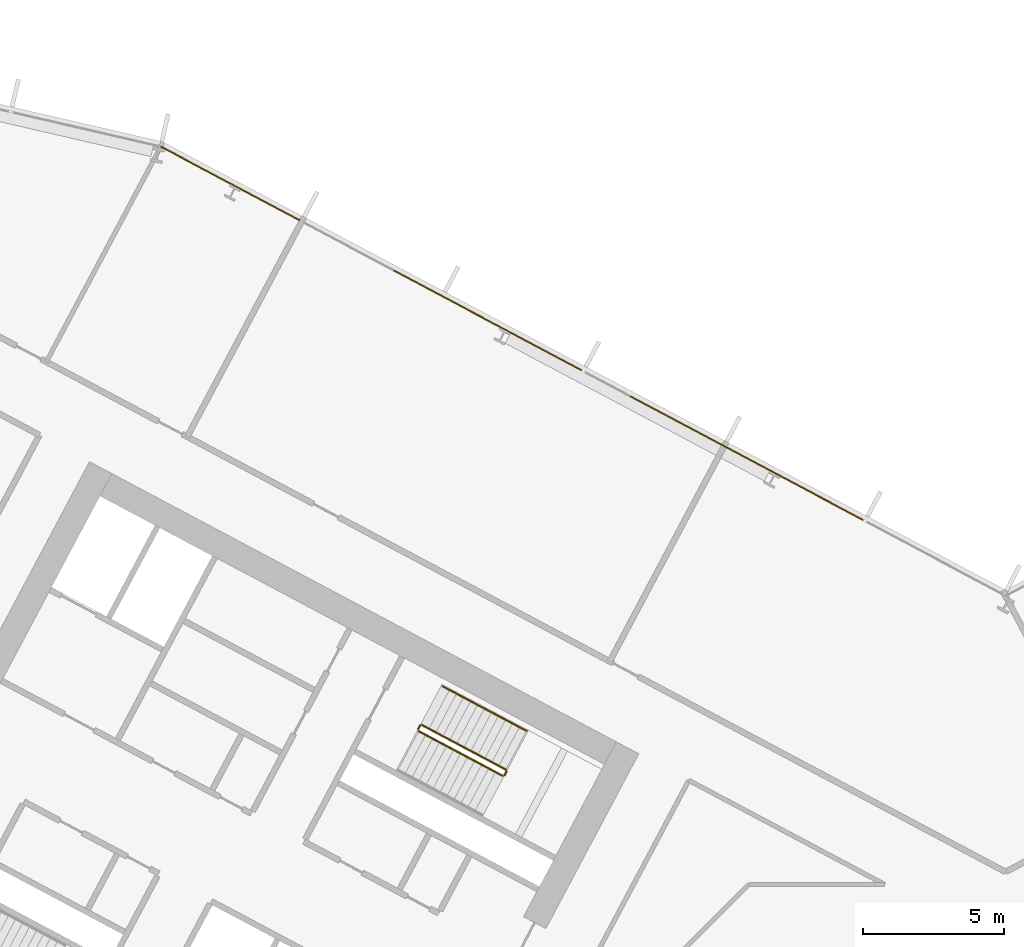
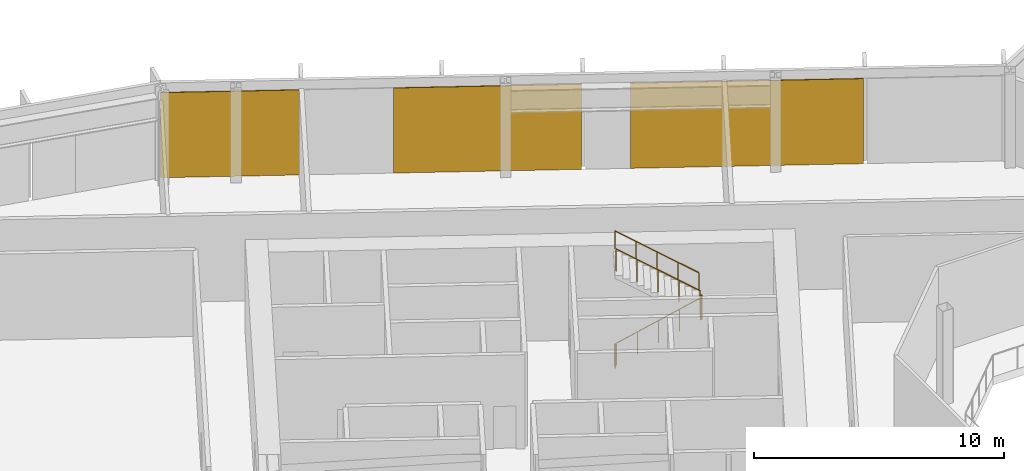
# One storey, part 26 of 32: 5 railings, 3 coverings, 1 element without a shape of its own.
"""IFC4 building model written with IfcOpenShell, lengths in metres."""

from ifc_helpers import new_model, si_unit, direction, frame, origin, origin_2d, place, context, subcontext, project, spatial, polyline, rectangle, outline, extrude, material, layer, layer_set, type_object, element, aggregate, save


model = new_model("IFC4")

# Units and contexts
model_context = context("Model", 3, precision=1e-05, world=origin(), true_north=direction((0.0, 1.0)))
body_context = subcontext(model_context, "Body", "Model", "MODEL_VIEW")
ifc_project = project(units=[si_unit("LENGTHUNIT", "METRE"), si_unit("AREAUNIT", "SQUARE_METRE"), si_unit("VOLUMEUNIT", "CUBIC_METRE"), si_unit("PLANEANGLEUNIT", "RADIAN"), si_unit("MASSUNIT", "GRAM", prefix="KILO")], contexts=[model_context])

# Site, building, storey
site_placement = place(None, origin())
site = spatial("IfcSite", under=ifc_project, at=site_placement, CompositionType="ELEMENT")
building_placement = place(site_placement, origin())
building = spatial("IfcBuilding", under=site, at=building_placement, Name="Cormorant Relay Tower", CompositionType="ELEMENT")
storey_placement = place(building_placement, frame((0.0, 0.0, 75.39990234375)))
storey = spatial("IfcBuildingStorey", under=building, at=storey_placement, Name="L14", CompositionType="ELEMENT", Elevation=75.39990234375)

# Curtain wall, coverings
ifc_material_1 = material(Name="Aluminium 6063-T6 anodised bronze", Category="aluminium")
ifc_layer_1 = layer(ifc_material_1, 0.199951171875)
ifc_layer_set_1 = layer_set([ifc_layer_1], Name="CW1 unitised bronze curtain wall with vertical fins")
curtain_wall_type = type_object("IfcCurtainWallType", Name="CW1 unitised bronze curtain wall with vertical fins", PredefinedType="NOTDEFINED", material=ifc_layer_set_1)
curtain_wall_placement = place(storey_placement, origin())
curtain_wall = element("IfcCurtainWall", 1, at=curtain_wall_placement, inside=storey, type_object=curtain_wall_type, Name="CW1 curtain wall 7", PredefinedType="NOTDEFINED")
ifc_material_2 = material(Name="Pale bronze anodised aluminium insulated panel", Category="aluminium")
ifc_layer_2 = layer(ifc_material_2, 0.0400390625)
ifc_layer_set_2 = layer_set([ifc_layer_2], Name="CW1 pale bronze insulated panel 40")
covering_type = type_object("IfcCoveringType", Name="CW1 pale bronze insulated panel 40", PredefinedType="CLADDING", material=ifc_layer_set_2)
covering_1_placement = place(storey_placement, frame((-9.15380859375, 28.673828125, 0.000244140625), z_axis=(0.0, 0.0, 1.0), x_axis=(-0.882947592859, 0.469471562786, 0.0)))
covering_1 = element("IfcCovering", 2, at=covering_1_placement, type_object=covering_type, Name="CW1 panel S01", PredefinedType="CLADDING", context=body_context, shape_type="SweptSolid", body=[
    extrude(rectangle(XDim=9.327880859375, YDim=0.0400390625, at=origin_2d()), origin(), (0.0, 0.0, 1.0), 4.14990234375),
])
covering_2_placement = place(storey_placement, frame((-18.317138671875, 33.5458984375, 0.000244140625), z_axis=(0.0, 0.0, 1.0), x_axis=(-0.882947592859, 0.469471562786, 0.0)))
covering_2 = element("IfcCovering", 3, at=covering_2_placement, type_object=covering_type, Name="CW1 panel S03", PredefinedType="CLADDING", context=body_context, shape_type="SweptSolid", body=[
    extrude(rectangle(XDim=7.528076171875, YDim=0.0400390625, at=origin_2d()), origin(), (0.0, 0.0, 1.0), 4.14990234375),
])
covering_3_placement = place(storey_placement, frame((-27.407958984375, 38.379638671875, 0.000244140625), z_axis=(0.0, 0.0, 1.0), x_axis=(-0.882947592859, 0.469471562786, 0.0)))
covering_3 = element("IfcCovering", 4, at=covering_3_placement, type_object=covering_type, Name="CW1 panel S05", PredefinedType="CLADDING", context=body_context, shape_type="SweptSolid", body=[
    extrude(rectangle(XDim=5.56396484375, YDim=0.0400390625, at=origin_2d()), origin(), (0.0, 0.0, 1.0), 4.14990234375),
])
aggregate(curtain_wall, [covering_1, covering_2, covering_3])

# Railings
ifc_material_3 = material(Name="Steel ASTM A572 Grade 50 (Fy 345 MPa)", Category="steel")
railing_type_1 = type_object("IfcRailingType", Name="Stair guard 1100", PredefinedType="GUARDRAIL", material=ifc_material_3)
railing_1_placement = place(storey_placement, frame((-20.75048828125, 19.017822265625, 0.177001953125)))
element("IfcRailing", 5, at=railing_1_placement, inside=storey, type_object=railing_type_1, Name="L14 A1 stair guard 1", PredefinedType="GUARDRAIL", context=body_context, shape_type="SweptSolid", body=[
    extrude(outline(polyline([(0.022216796875, 0.00927734375), (0.00927734375, 0.022216796875), (-0.00927734375, 0.022216796875), (-0.022216796875, 0.00927734375), (-0.022216796875, -0.00927734375), (-0.00927734375, -0.022216796875), (0.00927734375, -0.022216796875), (0.022216796875, -0.00927734375), (0.022216796875, 0.00927734375)])), frame((0.0, 0.0, 1.076171875), z_axis=(0.746413465702, -0.396887285154, 0.534179203172), x_axis=(0.469482818608, 0.88294160794, 0.0)), (0.0, 0.0, 1.0), 3.974365234375),
    extrude(outline(polyline([(0.019287109375, 0.008056640625), (0.008056640625, 0.019287109375), (-0.008056640625, 0.019287109375), (-0.019287109375, 0.008056640625), (-0.019287109375, -0.008056640625), (-0.008056640625, -0.019287109375), (0.008056640625, -0.019287109375), (0.019287109375, -0.008056640625), (0.019287109375, 0.008056640625)])), origin(), (0.0, 0.0, 1.0), 1.052001953125),
    extrude(outline(polyline([(0.019287109375, 0.008056640625), (0.008056640625, 0.019287109375), (-0.008056640625, 0.019287109375), (-0.019287109375, 0.008056640625), (-0.019287109375, -0.008056640625), (-0.008056640625, -0.019287109375), (0.008056640625, -0.019287109375), (0.019287109375, -0.008056640625), (0.019287109375, 0.008056640625)])), frame((0.74169921875, -0.394287109375, 0.53076171875)), (0.0, 0.0, 1.0), 1.052001953125),
    extrude(outline(polyline([(0.019287109375, 0.008056640625), (0.008056640625, 0.019287109375), (-0.008056640625, 0.019287109375), (-0.019287109375, 0.008056640625), (-0.019287109375, -0.008056640625), (-0.008056640625, -0.019287109375), (0.008056640625, -0.019287109375), (0.019287109375, -0.008056640625), (0.019287109375, 0.008056640625)])), frame((1.4833984375, -0.78857421875, 1.0615234375)), (0.0, 0.0, 1.0), 1.052001953125),
    extrude(outline(polyline([(0.019287109375, 0.008056640625), (0.008056640625, 0.019287109375), (-0.008056640625, 0.019287109375), (-0.019287109375, 0.008056640625), (-0.019287109375, -0.008056640625), (-0.008056640625, -0.019287109375), (0.008056640625, -0.019287109375), (0.019287109375, -0.008056640625), (0.019287109375, 0.008056640625)])), frame((2.224853515625, -1.18310546875, 1.59228515625)), (0.0, 0.0, 1.0), 1.052001953125),
    extrude(outline(polyline([(0.019287109375, 0.008056640625), (0.008056640625, 0.019287109375), (-0.008056640625, 0.019287109375), (-0.019287109375, 0.008056640625), (-0.019287109375, -0.008056640625), (-0.008056640625, -0.019287109375), (0.008056640625, -0.019287109375), (0.019287109375, -0.008056640625), (0.019287109375, 0.008056640625)])), frame((2.966552734375, -1.577392578125, 2.123046875)), (0.0, 0.0, 1.0), 1.052001953125),
])
railing_2_placement = place(storey_placement, frame((-17.71630859375, 17.461181640625, 2.300048828125)))
element("IfcRailing", 6, at=railing_2_placement, inside=storey, type_object=railing_type_1, Name="L14 A1 stair guard 2", PredefinedType="GUARDRAIL", context=body_context, shape_type="SweptSolid", body=[
    extrude(outline(polyline([(0.022216796875, 0.00927734375), (0.00927734375, 0.022216796875), (-0.00927734375, 0.022216796875), (-0.022216796875, 0.00927734375), (-0.022216796875, -0.00927734375), (-0.00927734375, -0.022216796875), (0.00927734375, -0.022216796875), (0.022216796875, -0.00927734375), (0.022216796875, 0.00927734375)])), frame((0.0, 0.0, 1.076171875), z_axis=(0.470503732759, 0.882398003998, 0.0), x_axis=(-0.882398003998, 0.470503732759, 0.0)), (0.0, 0.0, 1.0), 0.14990234375),
    extrude(outline(polyline([(0.019287109375, 0.008056640625), (0.008056640625, 0.019287109375), (-0.008056640625, 0.019287109375), (-0.019287109375, 0.008056640625), (-0.019287109375, -0.008056640625), (-0.008056640625, -0.019287109375), (0.008056640625, -0.019287109375), (0.019287109375, -0.008056640625), (0.019287109375, 0.008056640625)])), origin(), (0.0, 0.0, 1.0), 1.052001953125),
    extrude(outline(polyline([(0.019287109375, 0.008056640625), (0.008056640625, 0.019287109375), (-0.008056640625, 0.019287109375), (-0.019287109375, 0.008056640625), (-0.019287109375, -0.008056640625), (-0.008056640625, -0.019287109375), (0.008056640625, -0.019287109375), (0.019287109375, -0.008056640625), (0.019287109375, 0.008056640625)])), frame((0.070556640625, 0.13232421875, 0.0)), (0.0, 0.0, 1.0), 1.052001953125),
])
railing_3_placement = place(storey_placement, frame((-17.66650390625, 17.6611328125, 2.47705078125)))
element("IfcRailing", 7, at=railing_3_placement, inside=storey, type_object=railing_type_1, Name="L14 A1 stair guard 3", PredefinedType="GUARDRAIL", context=body_context, shape_type="SweptSolid", body=[
    extrude(outline(polyline([(0.022216796875, 0.00927734375), (0.00927734375, 0.022216796875), (-0.00927734375, 0.022216796875), (-0.022216796875, 0.00927734375), (-0.022216796875, -0.00927734375), (-0.00927734375, -0.022216796875), (0.00927734375, -0.022216796875), (0.022216796875, -0.00927734375), (0.022216796875, 0.00927734375)])), frame((0.0, 0.0, 1.076171875), z_axis=(-0.746440668329, 0.396869088057, 0.534154711306), x_axis=(-0.46945269911, -0.882957622595, 0.0)), (0.0, 0.0, 1.0), 3.974609375),
    extrude(outline(polyline([(0.019287109375, 0.008056640625), (0.008056640625, 0.019287109375), (-0.008056640625, 0.019287109375), (-0.019287109375, 0.008056640625), (-0.019287109375, -0.008056640625), (-0.008056640625, -0.019287109375), (0.008056640625, -0.019287109375), (0.019287109375, -0.008056640625), (0.019287109375, 0.008056640625)])), origin(), (0.0, 0.0, 1.0), 1.052001953125),
    extrude(outline(polyline([(0.019287109375, 0.008056640625), (0.008056640625, 0.019287109375), (-0.008056640625, 0.019287109375), (-0.019287109375, 0.008056640625), (-0.019287109375, -0.008056640625), (-0.008056640625, -0.019287109375), (0.008056640625, -0.019287109375), (0.019287109375, -0.008056640625), (0.019287109375, 0.008056640625)])), frame((-0.74169921875, 0.394287109375, 0.53076171875)), (0.0, 0.0, 1.0), 1.052001953125),
    extrude(outline(polyline([(0.019287109375, 0.008056640625), (0.008056640625, 0.019287109375), (-0.008056640625, 0.019287109375), (-0.019287109375, 0.008056640625), (-0.019287109375, -0.008056640625), (-0.008056640625, -0.019287109375), (0.008056640625, -0.019287109375), (0.019287109375, -0.008056640625), (0.019287109375, 0.008056640625)])), frame((-1.4833984375, 0.78857421875, 1.0615234375)), (0.0, 0.0, 1.0), 1.052001953125),
    extrude(outline(polyline([(0.019287109375, 0.008056640625), (0.008056640625, 0.019287109375), (-0.008056640625, 0.019287109375), (-0.019287109375, 0.008056640625), (-0.019287109375, -0.008056640625), (-0.008056640625, -0.019287109375), (0.008056640625, -0.019287109375), (0.019287109375, -0.008056640625), (0.019287109375, 0.008056640625)])), frame((-2.22509765625, 1.18310546875, 1.59228515625)), (0.0, 0.0, 1.0), 1.052001953125),
    extrude(outline(polyline([(0.019287109375, 0.008056640625), (0.008056640625, 0.019287109375), (-0.008056640625, 0.019287109375), (-0.019287109375, 0.008056640625), (-0.019287109375, -0.008056640625), (-0.008056640625, -0.019287109375), (0.008056640625, -0.019287109375), (0.019287109375, -0.008056640625), (0.019287109375, 0.008056640625)])), frame((-2.966796875, 1.577392578125, 2.123046875)), (0.0, 0.0, 1.0), 1.052001953125),
])
railing_4_placement = place(storey_placement, frame((-20.771240234375, 19.08544921875, 0.0)))
element("IfcRailing", 8, at=railing_4_placement, inside=storey, type_object=railing_type_1, Name="L14 A1 stair guard 4", PredefinedType="GUARDRAIL", context=body_context, shape_type="SweptSolid", body=[
    extrude(outline(polyline([(0.022216796875, 0.00927734375), (0.00927734375, 0.022216796875), (-0.00927734375, 0.022216796875), (-0.022216796875, 0.00927734375), (-0.022216796875, -0.00927734375), (-0.00927734375, -0.022216796875), (0.00927734375, -0.022216796875), (0.022216796875, -0.00927734375), (0.022216796875, 0.00927734375)])), frame((0.0, 0.0, 1.076171875), z_axis=(0.469828648786, 0.882757634224, 0.0), x_axis=(-0.882757634224, 0.469828648786, 0.0)), (0.0, 0.0, 1.0), 0.150146484375),
    extrude(outline(polyline([(0.019287109375, 0.008056640625), (0.008056640625, 0.019287109375), (-0.008056640625, 0.019287109375), (-0.019287109375, 0.008056640625), (-0.019287109375, -0.008056640625), (-0.008056640625, -0.019287109375), (0.008056640625, -0.019287109375), (0.019287109375, -0.008056640625), (0.019287109375, 0.008056640625)])), origin(), (0.0, 0.0, 1.0), 1.052001953125),
    extrude(outline(polyline([(0.019287109375, 0.008056640625), (0.008056640625, 0.019287109375), (-0.008056640625, 0.019287109375), (-0.019287109375, 0.008056640625), (-0.019287109375, -0.008056640625), (-0.008056640625, -0.019287109375), (0.008056640625, -0.019287109375), (0.019287109375, -0.008056640625), (0.019287109375, 0.008056640625)])), frame((0.070556640625, 0.132568359375, 0.0)), (0.0, 0.0, 1.0), 1.052001953125),
])
ifc_material_4 = material(Name="Steel ASTM A572 Grade 50 (Fy 345 MPa)", Category="steel")
railing_type_2 = type_object("IfcRailingType", Name="Stair handrail 900", PredefinedType="HANDRAIL", material=ifc_material_4)
railing_5_placement = place(storey_placement, frame((-16.938720703125, 19.02978515625, 2.47705078125)))
element("IfcRailing", 9, at=railing_5_placement, inside=storey, type_object=railing_type_2, Name="L14 A1 stair handrail 2", PredefinedType="HANDRAIL", context=body_context, shape_type="SweptSolid", body=[
    extrude(outline(polyline([(0.022216796875, 0.00927734375), (0.00927734375, 0.022216796875), (-0.00927734375, 0.022216796875), (-0.022216796875, 0.00927734375), (-0.022216796875, -0.00927734375), (-0.00927734375, -0.022216796875), (0.00927734375, -0.022216796875), (0.022216796875, -0.00927734375), (0.022216796875, 0.00927734375)])), frame((0.0, 0.0, 0.8759765625), z_axis=(-0.746440668329, 0.396869088057, 0.534154711306), x_axis=(-0.46945269911, -0.882957622595, 0.0)), (0.0, 0.0, 1.0), 3.974609375),
    extrude(outline(polyline([(0.019287109375, 0.008056640625), (0.008056640625, 0.019287109375), (-0.008056640625, 0.019287109375), (-0.019287109375, 0.008056640625), (-0.019287109375, -0.008056640625), (-0.008056640625, -0.019287109375), (0.008056640625, -0.019287109375), (0.019287109375, -0.008056640625), (0.019287109375, 0.008056640625)])), origin(), (0.0, 0.0, 1.0), 0.851806640625),
    extrude(outline(polyline([(0.019287109375, 0.008056640625), (0.008056640625, 0.019287109375), (-0.008056640625, 0.019287109375), (-0.019287109375, 0.008056640625), (-0.019287109375, -0.008056640625), (-0.008056640625, -0.019287109375), (0.008056640625, -0.019287109375), (0.019287109375, -0.008056640625), (0.019287109375, 0.008056640625)])), frame((-0.74169921875, 0.394287109375, 0.53076171875)), (0.0, 0.0, 1.0), 0.851806640625),
    extrude(outline(polyline([(0.019287109375, 0.008056640625), (0.008056640625, 0.019287109375), (-0.008056640625, 0.019287109375), (-0.019287109375, 0.008056640625), (-0.019287109375, -0.008056640625), (-0.008056640625, -0.019287109375), (0.008056640625, -0.019287109375), (0.019287109375, -0.008056640625), (0.019287109375, 0.008056640625)])), frame((-1.4833984375, 0.78857421875, 1.0615234375)), (0.0, 0.0, 1.0), 0.851806640625),
    extrude(outline(polyline([(0.019287109375, 0.008056640625), (0.008056640625, 0.019287109375), (-0.008056640625, 0.019287109375), (-0.019287109375, 0.008056640625), (-0.019287109375, -0.008056640625), (-0.008056640625, -0.019287109375), (0.008056640625, -0.019287109375), (0.019287109375, -0.008056640625), (0.019287109375, 0.008056640625)])), frame((-2.22509765625, 1.18310546875, 1.59228515625)), (0.0, 0.0, 1.0), 0.851806640625),
    extrude(outline(polyline([(0.019287109375, 0.008056640625), (0.008056640625, 0.019287109375), (-0.008056640625, 0.019287109375), (-0.019287109375, 0.008056640625), (-0.019287109375, -0.008056640625), (-0.008056640625, -0.019287109375), (0.008056640625, -0.019287109375), (0.019287109375, -0.008056640625), (0.019287109375, 0.008056640625)])), frame((-2.966796875, 1.577392578125, 2.123046875)), (0.0, 0.0, 1.0), 0.851806640625),
])

save(model, "model.ifc")
